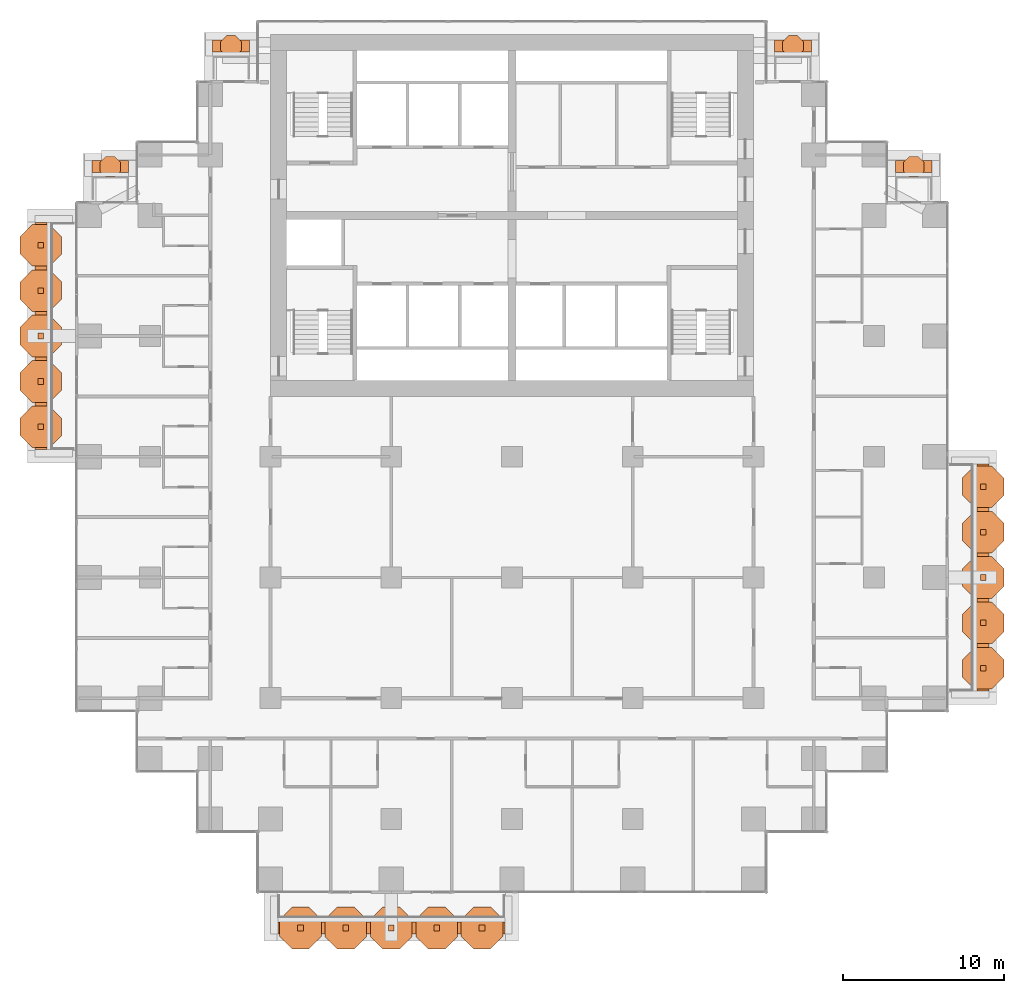
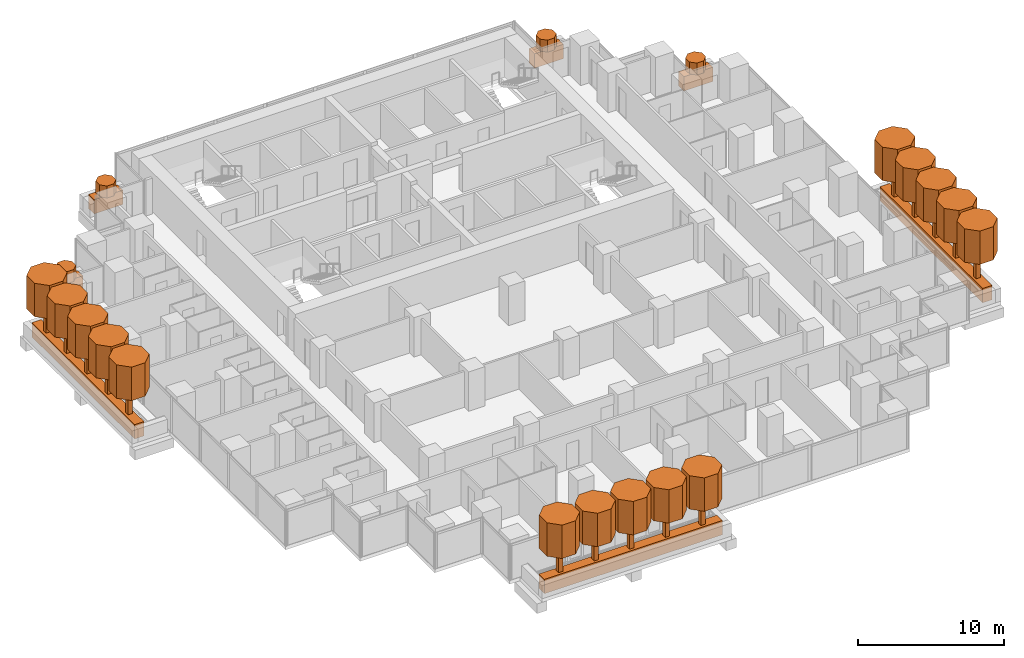
# One storey, part 18 of 18: 41 geographic elements.
"""IFC4 building model written with IfcOpenShell, lengths in metres."""

import ifcopenshell
import ifcopenshell.guid

model = None  # the IFC model being written
_history = None  # IfcOwnerHistory: only IFC2X3 demands one
_inside = {}  # id of a spatial element -> (the spatial element, [elements in it])
_under = {}  # id of a project, library or spatial element -> (it, [spatial elements below it])
_declared = {}  # id of a project -> (the project, [libraries it declares])
_typed = {}  # id of a type object -> (the type object, [elements of that type])
_made_of = {}  # id of a material, layer set ... -> (it, [elements and type objects made of it])


def new_model(schema):
    """Start an empty IFC model of exactly this schema.

    Asked for "IFC4X3", IfcOpenShell would pick the latest addendum, in which some entities
    have other attributes; the version numbers below select the first issue.
    IFC2X3 requires an IfcOwnerHistory on every rooted entity: one is made here for all.
    """
    global model, _history
    if schema == "IFC4X3":
        model = ifcopenshell.file(schema_version=(4, 3, 0, 0))
    else:
        model = ifcopenshell.file(schema=schema)
    _inside.clear()
    _under.clear()
    _declared.clear()
    _typed.clear()
    _made_of.clear()
    _history = None
    if model.schema == "IFC2X3":
        org = make("IfcOrganization", Name="unknown")
        user = make(
            "IfcPersonAndOrganization",
            ThePerson=make("IfcPerson", FamilyName="unknown"),
            TheOrganization=org,
        )
        app = make(
            "IfcApplication",
            ApplicationDeveloper=org,
            Version="unknown",
            ApplicationFullName="unknown",
            ApplicationIdentifier="unknown",
        )
        _history = make(
            "IfcOwnerHistory",
            OwningUser=user,
            OwningApplication=app,
            ChangeAction="ADDED",
            CreationDate=0,
        )
    return model


def make(cls, **values):
    """One entity of the class cls with the attributes given. An attribute that is None is left unset."""
    return model.create_entity(
        cls, **{name: value for name, value in values.items() if value is not None}
    )


def rooted(cls, **values):
    """An entity with a GlobalId (a new one), such as an element, a storey or a relation."""
    return make(cls, GlobalId=ifcopenshell.guid.new(), OwnerHistory=_history, **values)


def si_unit(unit_type, name, prefix=None):
    """IfcSIUnit, for example si_unit("LENGTHUNIT", "METRE", prefix="MILLI")."""
    return make("IfcSIUnit", UnitType=unit_type, Prefix=prefix, Name=name)


def assignment(units):
    """IfcUnitAssignment: the units of a project."""
    return None if units is None else make("IfcUnitAssignment", Units=units)


def point(xyz):
    """IfcCartesianPoint."""
    return None if xyz is None else make("IfcCartesianPoint", Coordinates=xyz)


def direction(xyz):
    """IfcDirection."""
    return None if xyz is None else make("IfcDirection", DirectionRatios=xyz)


def frame(location, z_axis=None, x_axis=None):
    """IfcAxis2Placement3D, a coordinate frame: its origin and axes. An axis left out is left unset."""
    return make(
        "IfcAxis2Placement3D",
        Location=point(location),
        Axis=direction(z_axis),
        RefDirection=direction(x_axis),
    )


def frame_2d(location, x_axis=None):
    """IfcAxis2Placement2D, a coordinate frame in the plane: its origin and x axis."""
    return make(
        "IfcAxis2Placement2D", Location=point(location), RefDirection=direction(x_axis)
    )


def origin():
    """The frame at (0, 0, 0) with its axes left unset."""
    return frame((0.0, 0.0, 0.0))


def origin_2d():
    """The frame at (0, 0) in the plane with its x axis left unset."""
    return frame_2d((0.0, 0.0))


def place(relative_to, where):
    """IfcLocalPlacement: puts the frame where relative to a parent placement (None: the world)."""
    return make(
        "IfcLocalPlacement", PlacementRelTo=relative_to, RelativePlacement=where
    )


def context(
    kind, dimensions, precision=None, world=None, true_north=None, identifier=None
):
    """IfcGeometricRepresentationContext, for example the 3D "Model" context."""
    return make(
        "IfcGeometricRepresentationContext",
        ContextIdentifier=identifier,
        ContextType=kind,
        CoordinateSpaceDimension=dimensions,
        Precision=precision,
        WorldCoordinateSystem=world,
        TrueNorth=true_north,
    )


def subcontext(parent, identifier, kind, view, scale=None):
    """IfcGeometricRepresentationSubContext, for example "Body" below "Model"."""
    return make(
        "IfcGeometricRepresentationSubContext",
        ContextIdentifier=identifier,
        ContextType=kind,
        ParentContext=parent,
        TargetScale=scale,
        TargetView=view,
    )


def project(units=None, contexts=None):
    """IfcProject with its units and contexts."""
    return rooted(
        "IfcProject",
        Name="project",
        RepresentationContexts=contexts,
        UnitsInContext=assignment(units),
    )


def spatial(cls, under=None, at=None, **own):
    """A site, building, storey or space (cls), placed at a placement, below another one or the project."""
    s = rooted(cls, ObjectPlacement=at, **own)
    if under is not None:
        _under.setdefault(under.id(), (under, []))[1].append(s)
    return s


def polyline(points):
    """IfcPolyline through the points."""
    return make("IfcPolyline", Points=[point(p) for p in points])


def profile(cls, at=None, kind="AREA", **sizes):
    """A parametric profile (cls). Its sizes go by their IFC names, for example OverallWidth=200.0."""
    return make(cls, ProfileType=kind, Position=at, **sizes)


def rectangle(**sizes):
    """IfcRectangleProfileDef."""
    return profile("IfcRectangleProfileDef", **sizes)


def outline(outer, holes=None, kind="AREA"):
    """IfcArbitraryClosedProfileDef: a profile drawn as a closed curve; with holes, ...WithVoids."""
    if holes is None:
        return make("IfcArbitraryClosedProfileDef", ProfileType=kind, OuterCurve=outer)
    return make(
        "IfcArbitraryProfileDefWithVoids",
        ProfileType=kind,
        OuterCurve=outer,
        InnerCurves=holes,
    )


def extrude(swept, where, along, depth):
    """IfcExtrudedAreaSolid: the profile swept, set in the frame where, extruded along a direction by depth."""
    return make(
        "IfcExtrudedAreaSolid",
        SweptArea=swept,
        Position=where,
        ExtrudedDirection=direction(along),
        Depth=depth,
    )


def shape(context_of_items, identifier, shape_type, items):
    """IfcShapeRepresentation: the items that make up one representation, for example the "Body"."""
    return make(
        "IfcShapeRepresentation",
        ContextOfItems=context_of_items,
        RepresentationIdentifier=identifier,
        RepresentationType=shape_type,
        Items=items,
    )


def material(Name=None, Category=None):
    """IfcMaterial."""
    return make("IfcMaterial", Name=Name, Category=Category)


def material_profile(
    of_material, cross_section, Name=None, Category=None, Priority=None
):
    """IfcMaterialProfile: a cross section and its material."""
    return make(
        "IfcMaterialProfile",
        Name=Name,
        Material=of_material,
        Profile=cross_section,
        Priority=Priority,
        Category=Category,
    )


def profile_set(profiles, Name=None, composite=None):
    """IfcMaterialProfileSet."""
    return make(
        "IfcMaterialProfileSet",
        Name=Name,
        MaterialProfiles=profiles,
        CompositeProfile=composite,
    )


def made_of(thing, what):
    """Note that an element or type object is made of a material, layer set ...; save() writes the relation."""
    if what is not None:
        _made_of.setdefault(what.id(), (what, []))[1].append(thing)
    return thing


def type_object(cls, material=None, **own):
    """A type object (cls), such as IfcWallType, which elements share."""
    return made_of(rooted(cls, **own), material)


def element(
    cls,
    number,
    at=None,
    inside=None,
    cuts=None,
    type_object=None,
    material=None,
    context=None,
    identifier="Body",
    shape_type=None,
    held_by="IfcProductDefinitionShape",
    body=None,
    shapes=None,
    **own,
):
    """One element of the class cls, such as IfcWall. Its Tag is "e" and its number.

    at: its placement. inside: the storey or other place that contains it. cuts: it is an
    opening in that element (IfcRelVoidsElement). A single representation is given by context,
    identifier, shape_type and body (its items); several are given by shapes. held_by: the class
    of the entity that holds the representations. save() writes the other relations.
    """
    e = rooted(cls, Tag="e%d" % number, ObjectPlacement=at, **own)
    if body is not None:
        shapes = [shape(context, identifier, shape_type, body)]
    if shapes is not None:
        e.Representation = make(held_by, Representations=shapes)
    if inside is not None:
        _inside.setdefault(inside.id(), (inside, []))[1].append(e)
    if cuts is not None:
        rooted(
            "IfcRelVoidsElement", RelatingBuildingElement=cuts, RelatedOpeningElement=e
        )
    if type_object is not None:
        _typed.setdefault(type_object.id(), (type_object, []))[1].append(e)
    return made_of(e, material)


def aggregate(whole, parts):
    """IfcRelAggregates: a whole, such as a stair, and the parts it consists of."""
    return rooted("IfcRelAggregates", RelatingObject=whole, RelatedObjects=parts)


def save(model, path):
    """Write the relations noted so far, then the file.

    IfcRelAggregates (storeys below a building ...), IfcRelContainedInSpatialStructure (elements
    in a storey), IfcRelDefinesByType, IfcRelAssociatesMaterial and IfcRelDeclares: one each for
    every whole, place, type object, material and project.
    """
    for whole, parts in _under.values():
        aggregate(whole, parts)
    for where, things in _inside.values():
        rooted(
            "IfcRelContainedInSpatialStructure",
            RelatedElements=things,
            RelatingStructure=where,
        )
    for kind, things in _typed.values():
        rooted("IfcRelDefinesByType", RelatedObjects=things, RelatingType=kind)
    for what, things in _made_of.values():
        rooted("IfcRelAssociatesMaterial", RelatedObjects=things, RelatingMaterial=what)
    for by, libraries in _declared.values():
        rooted("IfcRelDeclares", RelatingContext=by, RelatedDefinitions=libraries)
    model.write(path)


model = new_model("IFC4")

# Units and contexts
model_context = context("Model", 3, precision=1e-05, world=origin(), true_north=direction((0.0, 1.0)))
body_context = subcontext(model_context, "Body", "Model", "MODEL_VIEW")
ifc_project = project(units=[si_unit("LENGTHUNIT", "METRE"), si_unit("AREAUNIT", "SQUARE_METRE"), si_unit("VOLUMEUNIT", "CUBIC_METRE"), si_unit("PLANEANGLEUNIT", "RADIAN"), si_unit("MASSUNIT", "GRAM", prefix="KILO")], contexts=[model_context])

# Site, building, storey
site_placement = place(None, origin())
site = spatial("IfcSite", under=ifc_project, at=site_placement, CompositionType="ELEMENT")
building_placement = place(site_placement, origin())
building = spatial("IfcBuilding", under=site, at=building_placement, Name="Pilkhan Gate Tower", CompositionType="ELEMENT")
storey_placement = place(building_placement, frame((0.0, 0.0, 75.800048828125)))
storey = spatial("IfcBuildingStorey", under=building, at=storey_placement, Name="L17", CompositionType="ELEMENT", Elevation=75.800048828125)

# Geographic elements
ifc_material_1 = material(Name="Foliage")
ifc_material_profile_1 = material_profile(ifc_material_1, rectangle(XDim=0.75, YDim=1.199951171875, at=origin_2d()), Name="Bed 750x1200")
ifc_profile_set_1 = profile_set([ifc_material_profile_1], Name="Foliage")
geographic_element_type_1 = type_object("IfcGeographicElementType", Name="Planting bed PB1", PredefinedType="USERDEFINED", material=ifc_profile_set_1)
for number, where, z_axis, x_axis, name in (
    (1, (60.449951171875, 38.22509765625, 0.599853515625), (1.0, 0.0, 0.0), (0.0, 1.0, 0.0), "Balcony L17 S planting bed"),
    (2, (104.27490234375, 52.949951171875, 0.599853515625), (0.0, 1.0, 0.0), (-1.0, 0.0, 0.0), "Balcony L17 E planting bed"),
):
    element("IfcGeographicElement", number, at=place(storey_placement, frame(where, z_axis=z_axis, x_axis=x_axis)), inside=storey, type_object=geographic_element_type_1, Name=name, ObjectType="PLANTING BED", PredefinedType="USERDEFINED", context=body_context, shape_type="SweptSolid", body=[
        extrude(rectangle(XDim=0.75, YDim=1.199951171875, at=origin_2d()), origin(), (0.0, 0.0, 1.0), 14.10009765625),
    ])
for number, where, z_axis, x_axis, name in (
    (3, (56.39990234375, 93.02490234375, 0.599853515625), (1.0, 0.0, 0.0), (0.0, 1.0, 0.0), "Balcony L17 N planting bed"),
    (4, (91.300048828125, 93.02490234375, 0.599853515625), (1.0, 0.0, 0.0), (0.0, 1.0, 0.0), "Balcony L17 N planting bed"),
):
    element("IfcGeographicElement", number, at=place(storey_placement, frame(where, z_axis=z_axis, x_axis=x_axis)), inside=storey, type_object=geographic_element_type_1, Name=name, ObjectType="PLANTING BED", PredefinedType="USERDEFINED", context=body_context, shape_type="SweptSolid", body=[
        extrude(rectangle(XDim=0.75, YDim=1.199951171875, at=origin_2d()), origin(), (0.0, 0.0, 1.0), 2.300048828125),
    ])
for number, where, z_axis, x_axis, name in (
    (5, (48.89990234375, 85.52490234375, 0.599853515625), (1.0, 0.0, 0.0), (0.0, 1.0, 0.0), "Balcony L17 N planting bed"),
    (6, (98.820068359375, 85.52490234375, 0.599853515625), (1.0, 0.0, 0.0), (0.0, 1.0, 0.0), "Balcony L17 N planting bed"),
):
    element("IfcGeographicElement", number, at=place(storey_placement, frame(where, z_axis=z_axis, x_axis=x_axis)), inside=storey, type_object=geographic_element_type_1, Name=name, ObjectType="PLANTING BED", PredefinedType="USERDEFINED", context=body_context, shape_type="SweptSolid", body=[
        extrude(rectangle(XDim=0.75, YDim=1.199951171875, at=origin_2d()), origin(), (0.0, 0.0, 1.0), 2.280029296875),
    ])
geographic_element_placement = place(storey_placement, frame((45.72509765625, 67.949951171875, 0.599853515625), z_axis=(0.0, 1.0, 0.0), x_axis=(-1.0, 0.0, 0.0)))
element("IfcGeographicElement", 7, at=geographic_element_placement, inside=storey, type_object=geographic_element_type_1, Name="Balcony L17 W planting bed", ObjectType="PLANTING BED", PredefinedType="USERDEFINED", context=body_context, shape_type="SweptSolid", body=[
    extrude(rectangle(XDim=0.75, YDim=1.199951171875, at=origin_2d()), origin(), (0.0, 0.0, 1.0), 14.10009765625),
])
ifc_material_profile_2 = material_profile(ifc_material_1, outline(polyline([(0.646728515625, 0.267822265625), (0.267822265625, 0.646728515625), (-0.267822265625, 0.646728515625), (-0.646728515625, 0.267822265625), (-0.646728515625, -0.267822265625), (-0.267822265625, -0.646728515625), (0.267822265625, -0.646728515625), (0.646728515625, -0.267822265625), (0.646728515625, 0.267822265625)])), Name="Shrub D1.4")
ifc_profile_set_2 = profile_set([ifc_material_profile_2], Name="Foliage")
geographic_element_type_2 = type_object("IfcGeographicElementType", Name="Shrub SH07", PredefinedType="USERDEFINED", material=ifc_profile_set_2)
for number, where, z_axis, x_axis, name in (
    (8, (57.550048828125, 93.02490234375, 1.199951171875), (0.0, 0.0, 1.0), (1.0, 0.0, 0.0), "Shrub L17 N 1"),
    (9, (92.449951171875, 93.02490234375, 1.199951171875), (0.0, 0.0, 1.0), (1.0, 0.0, 0.0), "Shrub L17 N 1"),
    (10, (50.0400390625, 85.52490234375, 1.199951171875), (0.0, 0.0, 1.0), (1.0, 0.0, 0.0), "Shrub L17 N 1"),
    (11, (99.9599609375, 85.52490234375, 1.199951171875), (0.0, 0.0, 1.0), (1.0, 0.0, 0.0), "Shrub L17 N 1"),
):
    element("IfcGeographicElement", number, at=place(storey_placement, frame(where, z_axis=z_axis, x_axis=x_axis)), inside=storey, type_object=geographic_element_type_2, Name=name, ObjectType="SHRUB", PredefinedType="USERDEFINED", context=body_context, shape_type="SweptSolid", body=[
        extrude(outline(polyline([(0.646728515625, 0.267822265625), (0.267822265625, 0.646728515625), (-0.267822265625, 0.646728515625), (-0.646728515625, 0.267822265625), (-0.646728515625, -0.267822265625), (-0.267822265625, -0.646728515625), (0.267822265625, -0.646728515625), (0.646728515625, -0.267822265625), (0.646728515625, 0.267822265625)])), origin(), (0.0, 0.0, 1.0), 1.0),
    ])
ifc_material_profile_3 = material_profile(ifc_material_1, outline(polyline([(1.29345703125, 0.535888671875), (0.535888671875, 1.29345703125), (-0.535888671875, 1.29345703125), (-1.29345703125, 0.535888671875), (-1.29345703125, -0.535888671875), (-0.535888671875, -1.29345703125), (0.535888671875, -1.29345703125), (1.29345703125, -0.535888671875), (1.29345703125, 0.535888671875)])), Name="Canopy D2.8")
ifc_profile_set_3 = profile_set([ifc_material_profile_3], Name="Foliage")
geographic_element_type_3 = type_object("IfcGeographicElementType", Name="Tree canopy TC14", PredefinedType="USERDEFINED", material=ifc_profile_set_3)
for number, where, z_axis, x_axis, name in (
    (12, (61.860107421875, 38.22509765625, 3.199951171875), (0.0, 0.0, 1.0), (1.0, 0.0, 0.0), "Tree L17 S 1 canopy"),
    (13, (64.679931640625, 38.22509765625, 3.199951171875), (0.0, 0.0, 1.0), (1.0, 0.0, 0.0), "Tree L17 S 2 canopy"),
    (14, (67.5, 38.22509765625, 3.199951171875), (0.0, 0.0, 1.0), (1.0, 0.0, 0.0), "Tree L17 S 3 canopy"),
    (15, (70.320068359375, 38.22509765625, 3.199951171875), (0.0, 0.0, 1.0), (1.0, 0.0, 0.0), "Tree L17 S 4 canopy"),
    (16, (73.139892578125, 38.22509765625, 3.199951171875), (0.0, 0.0, 1.0), (1.0, 0.0, 0.0), "Tree L17 S 5 canopy"),
    (17, (104.27490234375, 54.360107421875, 3.199951171875), (0.0, 0.0, 1.0), (1.0, 0.0, 0.0), "Tree L17 E 1 canopy"),
    (18, (104.27490234375, 57.179931640625, 3.199951171875), (0.0, 0.0, 1.0), (1.0, 0.0, 0.0), "Tree L17 E 2 canopy"),
    (19, (104.27490234375, 60.0, 3.199951171875), (0.0, 0.0, 1.0), (1.0, 0.0, 0.0), "Tree L17 E 3 canopy"),
    (20, (104.27490234375, 62.820068359375, 3.199951171875), (0.0, 0.0, 1.0), (1.0, 0.0, 0.0), "Tree L17 E 4 canopy"),
    (21, (104.27490234375, 65.639892578125, 3.199951171875), (0.0, 0.0, 1.0), (1.0, 0.0, 0.0), "Tree L17 E 5 canopy"),
    (22, (45.72509765625, 69.360107421875, 3.199951171875), (0.0, 0.0, 1.0), (1.0, 0.0, 0.0), "Tree L17 W 1 canopy"),
    (23, (45.72509765625, 72.179931640625, 3.199951171875), (0.0, 0.0, 1.0), (1.0, 0.0, 0.0), "Tree L17 W 2 canopy"),
    (24, (45.72509765625, 75.0, 3.199951171875), (0.0, 0.0, 1.0), (1.0, 0.0, 0.0), "Tree L17 W 3 canopy"),
    (25, (45.72509765625, 77.820068359375, 3.199951171875), (0.0, 0.0, 1.0), (1.0, 0.0, 0.0), "Tree L17 W 4 canopy"),
    (26, (45.72509765625, 80.639892578125, 3.199951171875), (0.0, 0.0, 1.0), (1.0, 0.0, 0.0), "Tree L17 W 5 canopy"),
):
    element("IfcGeographicElement", number, at=place(storey_placement, frame(where, z_axis=z_axis, x_axis=x_axis)), inside=storey, type_object=geographic_element_type_3, Name=name, ObjectType="TREE", PredefinedType="USERDEFINED", context=body_context, shape_type="SweptSolid", body=[
        extrude(outline(polyline([(1.29345703125, 0.535888671875), (0.535888671875, 1.29345703125), (-0.535888671875, 1.29345703125), (-1.29345703125, 0.535888671875), (-1.29345703125, -0.535888671875), (-0.535888671875, -1.29345703125), (0.535888671875, -1.29345703125), (1.29345703125, -0.535888671875), (1.29345703125, 0.535888671875)])), origin(), (0.0, 0.0, 1.0), 2.800048828125),
    ])
ifc_material_2 = material(Name="Timber trunk", Category="wood")
geographic_element_type_4 = type_object("IfcGeographicElementType", Name="Tree trunk TT1", PredefinedType="USERDEFINED", material=ifc_material_2)
for number, where, z_axis, x_axis, name in (
    (27, (61.860107421875, 38.22509765625, 1.199951171875), (0.0, 0.0, 1.0), (1.0, 0.0, 0.0), "Tree L17 S 1 trunk"),
    (28, (64.679931640625, 38.22509765625, 1.199951171875), (0.0, 0.0, 1.0), (1.0, 0.0, 0.0), "Tree L17 S 2 trunk"),
    (29, (67.5, 38.22509765625, 1.199951171875), (0.0, 0.0, 1.0), (1.0, 0.0, 0.0), "Tree L17 S 3 trunk"),
    (30, (70.320068359375, 38.22509765625, 1.199951171875), (0.0, 0.0, 1.0), (1.0, 0.0, 0.0), "Tree L17 S 4 trunk"),
    (31, (73.139892578125, 38.22509765625, 1.199951171875), (0.0, 0.0, 1.0), (1.0, 0.0, 0.0), "Tree L17 S 5 trunk"),
    (32, (104.27490234375, 54.360107421875, 1.199951171875), (0.0, 0.0, 1.0), (1.0, 0.0, 0.0), "Tree L17 E 1 trunk"),
    (33, (104.27490234375, 57.179931640625, 1.199951171875), (0.0, 0.0, 1.0), (1.0, 0.0, 0.0), "Tree L17 E 2 trunk"),
    (34, (104.27490234375, 60.0, 1.199951171875), (0.0, 0.0, 1.0), (1.0, 0.0, 0.0), "Tree L17 E 3 trunk"),
    (35, (104.27490234375, 62.820068359375, 1.199951171875), (0.0, 0.0, 1.0), (1.0, 0.0, 0.0), "Tree L17 E 4 trunk"),
    (36, (104.27490234375, 65.639892578125, 1.199951171875), (0.0, 0.0, 1.0), (1.0, 0.0, 0.0), "Tree L17 E 5 trunk"),
    (37, (45.72509765625, 69.360107421875, 1.199951171875), (0.0, 0.0, 1.0), (1.0, 0.0, 0.0), "Tree L17 W 1 trunk"),
    (38, (45.72509765625, 72.179931640625, 1.199951171875), (0.0, 0.0, 1.0), (1.0, 0.0, 0.0), "Tree L17 W 2 trunk"),
    (39, (45.72509765625, 75.0, 1.199951171875), (0.0, 0.0, 1.0), (1.0, 0.0, 0.0), "Tree L17 W 3 trunk"),
    (40, (45.72509765625, 77.820068359375, 1.199951171875), (0.0, 0.0, 1.0), (1.0, 0.0, 0.0), "Tree L17 W 4 trunk"),
    (41, (45.72509765625, 80.639892578125, 1.199951171875), (0.0, 0.0, 1.0), (1.0, 0.0, 0.0), "Tree L17 W 5 trunk"),
):
    element("IfcGeographicElement", number, at=place(storey_placement, frame(where, z_axis=z_axis, x_axis=x_axis)), inside=storey, type_object=geographic_element_type_4, Name=name, ObjectType="TREE", PredefinedType="USERDEFINED", context=body_context, shape_type="SweptSolid", body=[
        extrude(rectangle(XDim=0.35009765625, YDim=0.35009765625, at=origin_2d()), origin(), (0.0, 0.0, 1.0), 2.0),
    ])

save(model, "model.ifc")
